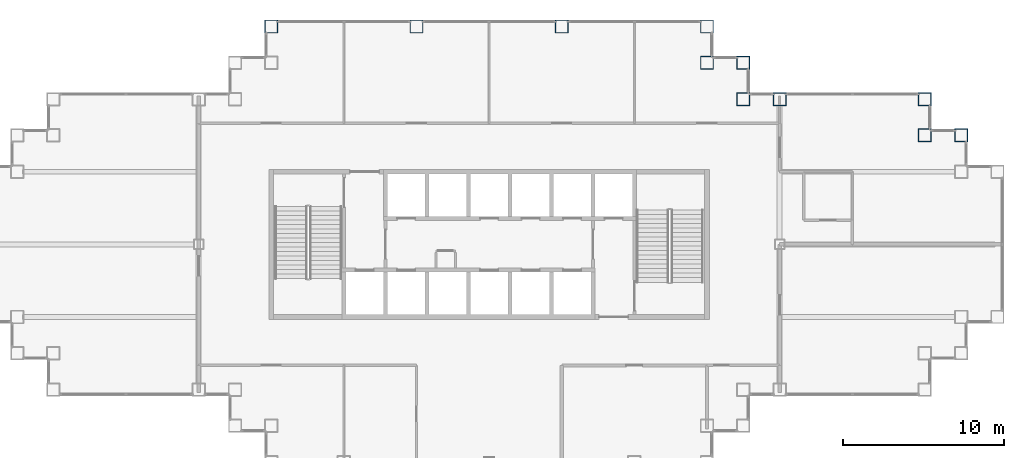
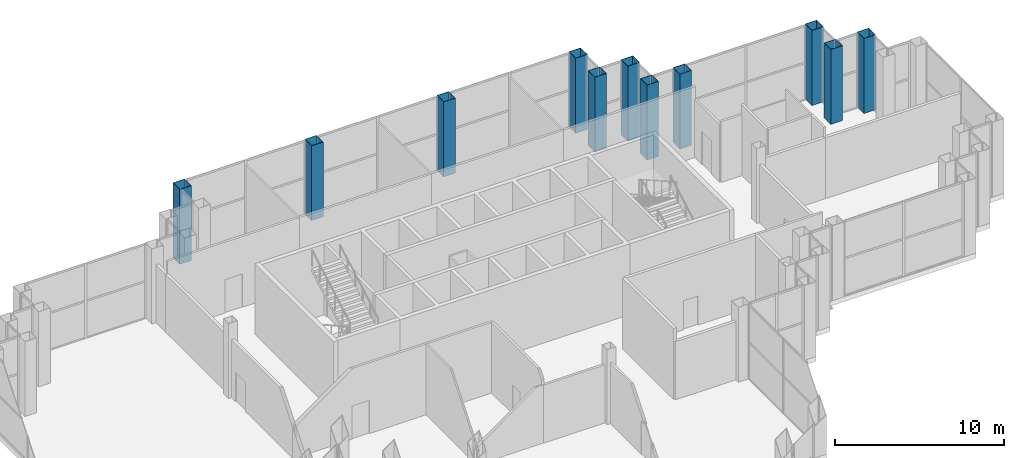
# One storey, part 2 of 18: 11 columns.
"""IFC4 building model written with IfcOpenShell, lengths in metres."""

from ifc_helpers import new_model, si_unit, direction, frame, origin, origin_2d, place, context, subcontext, project, spatial, hollow_rectangle, extrude, material, material_profile, profile_set, type_object, element, save


model = new_model("IFC4")

# Units and contexts
model_context = context("Model", 3, precision=1e-05, world=origin(), true_north=direction((0.0, 1.0)))
body_context = subcontext(model_context, "Body", "Model", "MODEL_VIEW")
ifc_project = project(units=[si_unit("LENGTHUNIT", "METRE"), si_unit("AREAUNIT", "SQUARE_METRE"), si_unit("VOLUMEUNIT", "CUBIC_METRE"), si_unit("PLANEANGLEUNIT", "RADIAN"), si_unit("MASSUNIT", "GRAM", prefix="KILO")], contexts=[model_context])

# Site, building, storey
site_placement = place(None, origin())
site = spatial("IfcSite", under=ifc_project, at=site_placement, CompositionType="ELEMENT")
building_placement = place(site_placement, origin())
building = spatial("IfcBuilding", under=site, at=building_placement, Name="Caravel Reach Hotel and Residences", CompositionType="ELEMENT")
storey_placement = place(building_placement, frame((0.0, 0.0, 145.199951171875)))
storey = spatial("IfcBuildingStorey", under=building, at=storey_placement, Name="L36", CompositionType="ELEMENT", Elevation=145.199951171875)

# Columns
ifc_material = material(Name="Concrete-filled steel tube Q390B with Concrete C60 infill", Category="concrete")
ifc_material_profile = material_profile(ifc_material, hollow_rectangle(XDim=0.800048828125, YDim=0.800048828125, WallThickness=0.02490234375, at=origin_2d()), Name="RHS 800x800x25")
ifc_profile_set = profile_set([ifc_material_profile], Name="Concrete-filled steel tube Q390B with Concrete C60 infill")
column_type = type_object("IfcColumnType", Name="CFT 800x800 Q390B C60", PredefinedType="COLUMN", material=ifc_profile_set)
for number, where, z_axis, x_axis, name in (
    (1, (60.75, 33.75, 0.0), (0.0, 0.0, 1.0), (1.0, 0.0, 0.0), "C5 column"),
    (2, (58.5, 33.75, 0.0), (0.0, 0.0, 1.0), (1.0, 0.0, 0.0), "C5 column"),
    (3, (58.5, 36.0, 0.0), (0.0, 0.0, 1.0), (1.0, 0.0, 0.0), "C5 column"),
    (4, (49.5, 36.0, 0.0), (0.0, 0.0, 1.0), (1.0, 0.0, 0.0), "C5 column"),
    (5, (47.25, 36.0, 0.0), (0.0, 0.0, 1.0), (1.0, 0.0, 0.0), "C5 column"),
    (6, (47.25, 38.25, 0.0), (0.0, 0.0, 1.0), (1.0, 0.0, 0.0), "C5 column"),
    (7, (45.0, 38.25, 0.0), (0.0, 0.0, 1.0), (1.0, 0.0, 0.0), "C5 column"),
    (8, (45.0, 40.5, 0.0), (0.0, 0.0, 1.0), (1.0, 0.0, 0.0), "C5 column"),
    (9, (36.0, 40.5, 0.0), (0.0, 0.0, 1.0), (1.0, 0.0, 0.0), "C5 column"),
    (10, (27.0, 40.5, 0.0), (0.0, 0.0, 1.0), (1.0, 0.0, 0.0), "C5 column"),
    (11, (18.0, 40.5, 0.0), (0.0, 0.0, 1.0), (1.0, 0.0, 0.0), "C5 column"),
):
    element("IfcColumn", number, at=place(storey_placement, frame(where, z_axis=z_axis, x_axis=x_axis)), inside=storey, type_object=column_type, Name=name, PredefinedType="COLUMN", context=body_context, shape_type="SweptSolid", body=[
        extrude(hollow_rectangle(XDim=0.800048828125, YDim=0.800048828125, WallThickness=0.02490234375, at=origin_2d()), origin(), (0.0, 0.0, 1.0), 5.400146484375),
    ])

save(model, "model.ifc")
